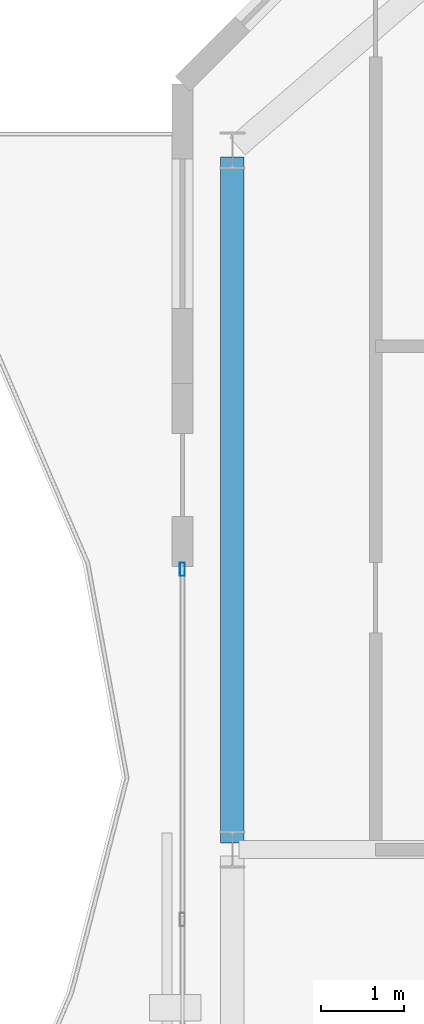
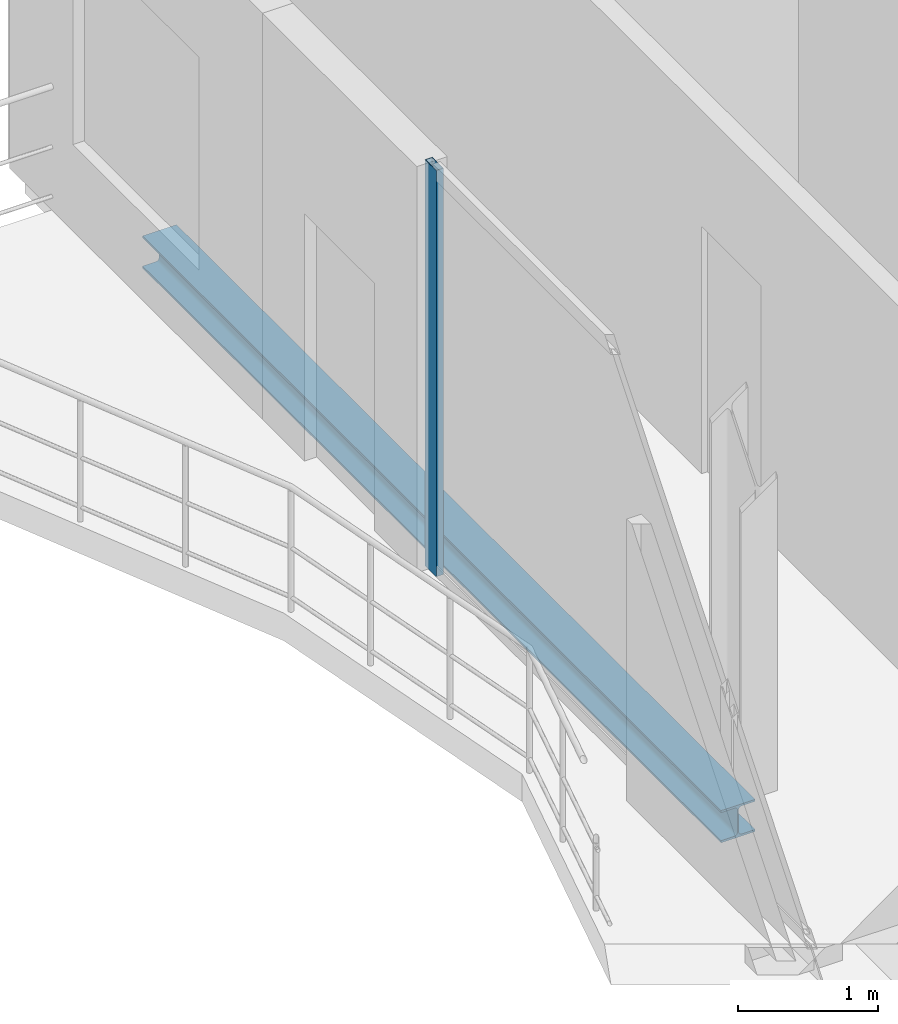
# One storey, part 12 of 23: 1 beam, 1 member, 1 element without a shape of its own.
"""IFC4 building model written with IfcOpenShell, lengths in metres."""

from ifc_helpers import new_model, si_unit, direction, frame, origin, origin_2d, place, context, subcontext, project, spatial, hollow_rectangle, i_section, extrude, material, layer, layer_set, material_profile, profile_set, type_object, element, aggregate, save


model = new_model("IFC4")

# Units and contexts
model_context = context("Model", 3, precision=1e-05, world=origin(), true_north=direction((0.0, 1.0)))
body_context = subcontext(model_context, "Body", "Model", "MODEL_VIEW")
ifc_project = project(units=[si_unit("LENGTHUNIT", "METRE"), si_unit("AREAUNIT", "SQUARE_METRE"), si_unit("VOLUMEUNIT", "CUBIC_METRE"), si_unit("PLANEANGLEUNIT", "RADIAN"), si_unit("MASSUNIT", "GRAM", prefix="KILO")], contexts=[model_context])

# Site, building, storey
site_placement = place(None, origin())
site = spatial("IfcSite", under=ifc_project, at=site_placement, CompositionType="ELEMENT")
building_placement = place(site_placement, origin())
building = spatial("IfcBuilding", under=site, at=building_placement, Name="Catumbela Crestline Tower", CompositionType="ELEMENT")
storey_placement = place(building_placement, frame((0.0, 0.0, 241.2)))
storey = spatial("IfcBuildingStorey", under=building, at=storey_placement, Name="L62", CompositionType="ELEMENT", Elevation=241.2)

# Curtain wall, member
ifc_material_1 = material(Name="Aluminium alloy AW-6060-T66", Category="aluminium")
ifc_layer = layer(ifc_material_1, 0.18, Name="Aluminium alloy AW-6060-T66")
ifc_layer_set = layer_set([ifc_layer], Name="Aluminium alloy AW-6060-T66")
curtain_wall_type = type_object("IfcCurtainWallType", Name="CWU-Z4", PredefinedType="USERDEFINED", material=ifc_layer_set)
curtain_wall_placement = place(storey_placement, origin())
curtain_wall = element("IfcCurtainWall", 1, at=curtain_wall_placement, inside=storey, type_object=curtain_wall_type, Name="L62 Unitised Curtain Wall CW-L62-E9S2", ObjectType="UNITISED", PredefinedType="USERDEFINED")
ifc_material_profile_1 = material_profile(ifc_material_1, hollow_rectangle(XDim=0.06, YDim=0.16, WallThickness=0.004, at=origin_2d()), Name="ALU 160x60x4")
ifc_profile_set_1 = profile_set([ifc_material_profile_1], Name="Aluminium alloy AW-6060-T66")
member_type = type_object("IfcMemberType", Name="MUL-160X60", PredefinedType="MULLION", material=ifc_profile_set_1)
member_placement = place(storey_placement, frame((5.0, 34.1675, 0.0), z_axis=(0.0, 0.0, 1.0), x_axis=(1.0, 0.0, 0.0)))
member = element("IfcMember", 2, at=member_placement, type_object=member_type, Name="CWU-Z4 mullion 1", PredefinedType="MULLION", context=body_context, shape_type="SweptSolid", body=[
    extrude(hollow_rectangle(XDim=0.06, YDim=0.16, WallThickness=0.004, at=origin_2d()), origin(), (0.0, 0.0, 1.0), 3.53),
])
aggregate(curtain_wall, [member])

# Beam
ifc_material_2 = material(Name="Structural steel S355J2", Category="steel")
ifc_material_profile_2 = material_profile(ifc_material_2, i_section(OverallWidth=0.28, OverallDepth=0.28, WebThickness=0.0105, FlangeThickness=0.018, FilletRadius=0.024, at=origin_2d()), Name="HEB 280")
ifc_profile_set_2 = profile_set([ifc_material_profile_2], Name="Structural steel S355J2")
beam_type = type_object("IfcBeamType", Name="BS-HEB280", PredefinedType="SPANDREL", material=ifc_profile_set_2)
beam_placement = place(storey_placement, frame((5.6, 30.88, -0.4), z_axis=(0.0, 1.0, 0.0), x_axis=(-1.0, 0.0, 0.0)))
element("IfcBeam", 3, at=beam_placement, inside=storey, type_object=beam_type, Name="L62 Spandrel SP-L62-SN13", PredefinedType="SPANDREL", context=body_context, shape_type="SweptSolid", body=[
    extrude(i_section(OverallWidth=0.28, OverallDepth=0.28, WebThickness=0.0105, FlangeThickness=0.018, FilletRadius=0.024, at=origin_2d()), origin(), (0.0, 0.0, 1.0), 8.24),
])

save(model, "model.ifc")
